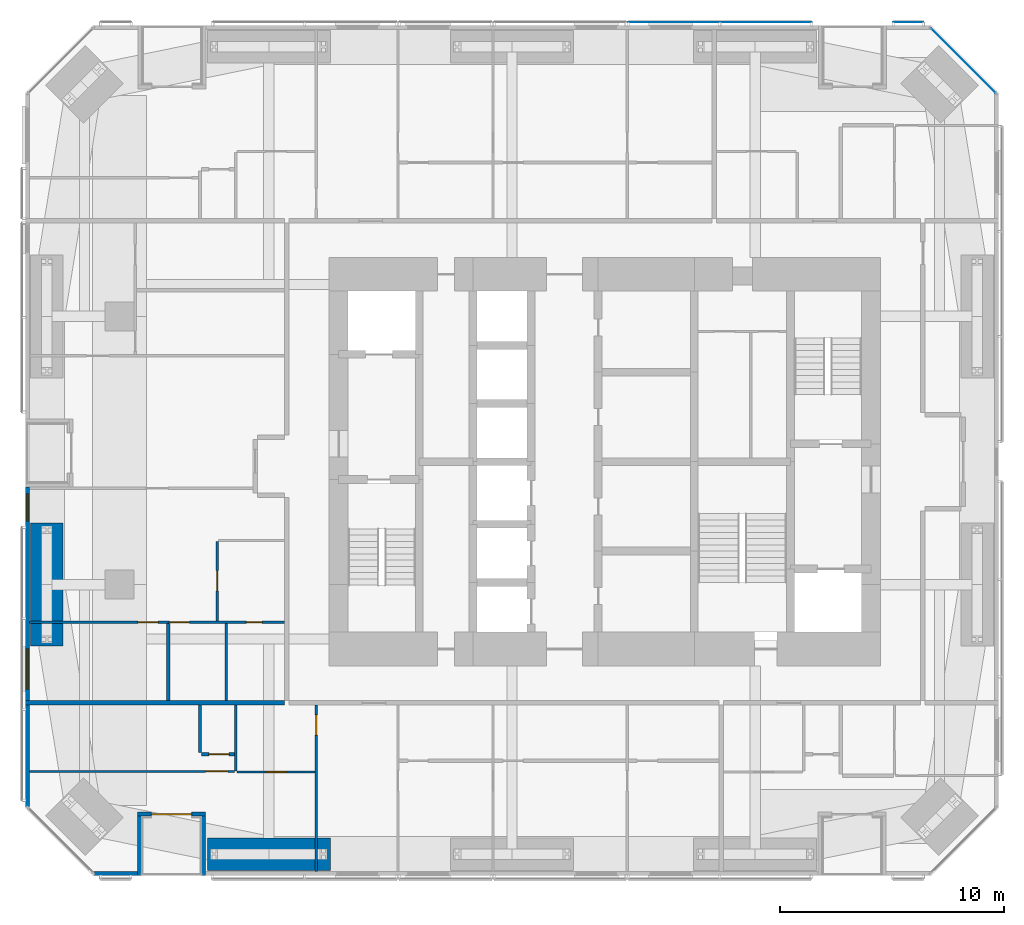
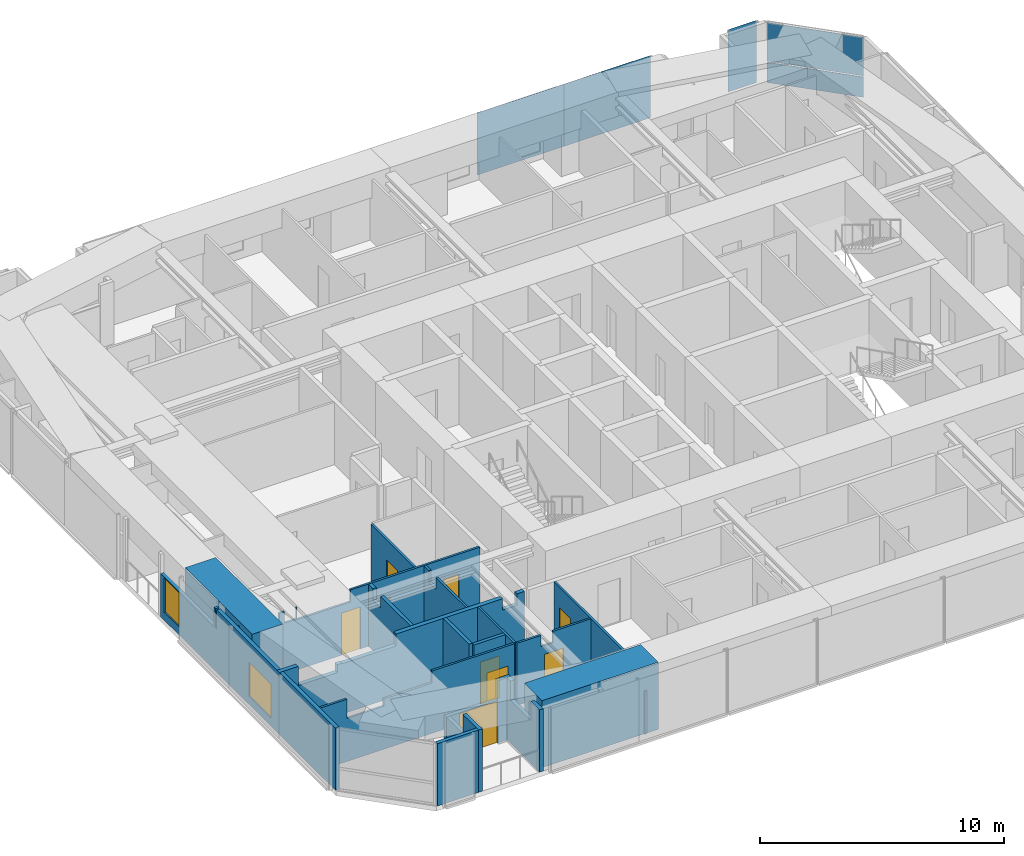
# One storey, part 16 of 23: 19 walls, 9 doors, 5 plates, 2 windows, 11 openings, 3 elements without a shape of their own.
"""IFC4 building model written with IfcOpenShell, lengths in metres."""

from ifc_helpers import new_model, si_unit, direction, frame, frame_2d, origin, origin_2d, place, context, subcontext, project, spatial, polyline, rectangle, outline, extrude, material, layer, layer_set, constituent, constituent_set, type_object, element, fill, aggregate, save


model = new_model("IFC4")

# Units and contexts
model_context = context("Model", 3, precision=1e-05, world=origin(), true_north=direction((0.0, 1.0)))
body_context = subcontext(model_context, "Body", "Model", "MODEL_VIEW")
ifc_project = project(units=[si_unit("LENGTHUNIT", "METRE"), si_unit("AREAUNIT", "SQUARE_METRE"), si_unit("VOLUMEUNIT", "CUBIC_METRE"), si_unit("PLANEANGLEUNIT", "RADIAN"), si_unit("MASSUNIT", "GRAM", prefix="KILO")], contexts=[model_context])

# Site, building, storey
site_placement = place(None, origin())
site = spatial("IfcSite", under=ifc_project, at=site_placement, CompositionType="ELEMENT")
building_placement = place(site_placement, origin())
building = spatial("IfcBuilding", under=site, at=building_placement, Name="Jalousie Tower", CompositionType="ELEMENT")
storey_placement = place(building_placement, frame((0.0, 0.0, 121.60009765625)))
storey = spatial("IfcBuildingStorey", under=building, at=storey_placement, Name="L33", CompositionType="ELEMENT", Elevation=121.60009765625)

# Curtain wall, plates
ifc_material_1 = material(Name="Aluminium curtain wall", Category="aluminium")
curtain_wall_type_1 = type_object("IfcCurtainWallType", Name="CORNER WINDOW WALL", PredefinedType="USERDEFINED", material=ifc_material_1)
curtain_wall_1_placement = place(storey_placement, origin())
curtain_wall_1 = element("IfcCurtainWall", 1, at=curtain_wall_1_placement, inside=storey, type_object=curtain_wall_type_1, Name="Corner Window Wall L33 4", ObjectType="CORNER WINDOW WALL", PredefinedType="USERDEFINED")
ifc_material_2 = material(Name="Laminated impact-rated spandrel glass", Category="glass")
ifc_layer_1 = layer(ifc_material_2, 0.028076171875)
ifc_layer_set_1 = layer_set([ifc_layer_1], Name="Laminated impact-rated spandrel glass")
plate_type_1 = type_object("IfcPlateType", Name="CORNER WINDOW WALL PANEL", PredefinedType="CURTAIN_PANEL", material=ifc_layer_set_1)
plate_1_placement = place(storey_placement, frame((47.9306640625, 36.4306640625, 0.06005859375), z_axis=(0.0, 0.0, 1.0), x_axis=(-0.707106781187, 0.707106781187, 0.0)))
plate_1 = element("IfcPlate", 2, at=plate_1_placement, type_object=plate_type_1, Name="CW-C panel 1.1", PredefinedType="CURTAIN_PANEL", context=body_context, shape_type="SweptSolid", body=[
    extrude(rectangle(XDim=4.071533203125, YDim=0.028076171875, at=origin_2d()), origin(), (0.0, 0.0, 1.0), 1.010009765625),
])
plate_2_placement = place(storey_placement, frame((47.9306640625, 36.4306640625, 1.1298828125), z_axis=(0.0, 0.0, 1.0), x_axis=(-0.707106781187, 0.707106781187, 0.0)))
plate_2 = element("IfcPlate", 3, at=plate_2_placement, type_object=plate_type_1, Name="CW-C panel 1.2", PredefinedType="CURTAIN_PANEL", context=body_context, shape_type="SweptSolid", body=[
    extrude(rectangle(XDim=4.071533203125, YDim=0.028076171875, at=origin_2d()), origin(), (0.0, 0.0, 1.0), 1.919921875),
])
aggregate(curtain_wall_1, [plate_1, plate_2])

# Curtain wall, plate
ifc_material_3 = material(Name="Perforated aluminium sheet", Category="aluminium")
curtain_wall_type_2 = type_object("IfcCurtainWallType", Name="SOLAR SCREEN SS-1", PredefinedType="USERDEFINED", material=ifc_material_3)
curtain_wall_2_placement = place(storey_placement, origin())
curtain_wall_2 = element("IfcCurtainWall", 4, at=curtain_wall_2_placement, inside=storey, type_object=curtain_wall_type_2, Name="Solar screen L33", ObjectType="SOLAR SCREEN SS-1", PredefinedType="USERDEFINED")
ifc_material_4 = material(Name="Perforated aluminium sheet", Category="aluminium")
ifc_layer_2 = layer(ifc_material_4, 0.006103515625)
ifc_layer_set_2 = layer_set([ifc_layer_2], Name="Perforated aluminium sheet")
plate_type_2 = type_object("IfcPlateType", Name="SOLAR SCREEN SS-1 PANEL", PredefinedType="CURTAIN_PANEL", material=ifc_layer_set_2)
plate_3_placement = place(storey_placement, frame((45.4736328125, 38.150390625, 0.0), z_axis=(0.0, 0.0, 1.0), x_axis=(-1.0, 0.0, 0.0)))
plate_3 = element("IfcPlate", 5, at=plate_3_placement, type_object=plate_type_2, Name="SS1 perforated panel 1", PredefinedType="CURTAIN_PANEL", context=body_context, shape_type="SweptSolid", body=[
    extrude(rectangle(XDim=1.35009765625, YDim=0.006103515625, at=origin_2d()), origin(), (0.0, 0.0, 1.0), 3.110107421875),
])
aggregate(curtain_wall_2, [plate_3])

# Curtain wall, plates
curtain_wall_3_placement = place(storey_placement, origin())
curtain_wall_3 = element("IfcCurtainWall", 6, at=curtain_wall_3_placement, inside=storey, type_object=curtain_wall_type_2, Name="Solar screen L33", ObjectType="SOLAR SCREEN SS-1", PredefinedType="USERDEFINED")
plate_4_placement = place(storey_placement, frame((39.09912109375, 38.150390625, 0.0), z_axis=(0.0, 0.0, 1.0), x_axis=(-1.0, 0.0, 0.0)))
plate_4 = element("IfcPlate", 7, at=plate_4_placement, type_object=plate_type_2, Name="SS1 perforated panel 1", PredefinedType="CURTAIN_PANEL", context=body_context, shape_type="SweptSolid", body=[
    extrude(rectangle(XDim=4.099365234375, YDim=0.006103515625, at=origin_2d()), origin(), (0.0, 0.0, 1.0), 3.110107421875),
])
plate_5_placement = place(storey_placement, frame((34.999755859375, 38.150390625, 0.0), z_axis=(0.0, 0.0, 1.0), x_axis=(-1.0, 0.0, 0.0)))
plate_5 = element("IfcPlate", 8, at=plate_5_placement, type_object=plate_type_2, Name="SS1 perforated panel 2", PredefinedType="CURTAIN_PANEL", context=body_context, shape_type="SweptSolid", body=[
    extrude(rectangle(XDim=4.099365234375, YDim=0.006103515625, at=origin_2d()), origin(), (0.0, 0.0, 1.0), 3.110107421875),
])
aggregate(curtain_wall_3, [plate_4, plate_5])

# Wall, opening, door
ifc_material_5 = material(Name="Concrete block ASTM C90", Category="concrete")
ifc_constituent_1 = constituent(ifc_material_5, Name="Body")
ifc_material_6 = material(Name="Render")
ifc_constituent_2 = constituent(ifc_material_6, Name="Finish")
ifc_constituent_set_1 = constituent_set(constituents=[ifc_constituent_1, ifc_constituent_2])
wall_type_1 = type_object("IfcWallType", Name="BATHROOM WALL 150", PredefinedType="PLUMBINGWALL", material=ifc_constituent_set_1)
wall_1_placement = place(storey_placement, frame((13.875, 5.425048828125, 0.0), z_axis=(0.0, 0.0, 1.0), x_axis=(1.0, 0.0, 0.0)))
wall_1 = element("IfcWall", 9, at=wall_1_placement, inside=storey, type_object=wall_type_1, Name="Bathroom Wall 150 L33", PredefinedType="PLUMBINGWALL", context=body_context, shape_type="SweptSolid", body=[
    extrude(rectangle(XDim=1.47509765625, YDim=0.14990234375, at=frame_2d((0.737548828125, 0.0))), origin(), (0.0, 0.0, 1.0), 3.10986328125),
])
opening_1_placement = place(wall_1_placement, frame((0.324951171875, 0.0, 0.0)))
opening_1 = element("IfcOpeningElement", 10, at=opening_1_placement, cuts=wall_1, Name="Opening D7", PredefinedType="OPENING", context=body_context, shape_type="SweptSolid", body=[
    extrude(rectangle(XDim=0.89990234375, YDim=2.10009765625, at=frame_2d((0.449951171875, 1.050048828125))), frame((0.0, 0.0849609375, 0.0), z_axis=(0.0, -1.0, 0.0), x_axis=(1.0, 0.0, 0.0)), (0.0, 0.0, 1.0), 0.169921875),
])
ifc_material_7 = material(Name="Timber door", Category="wood")
door_type_1 = type_object("IfcDoorType", Name="INTERNAL DOOR 900", OperationType="SINGLE_SWING_LEFT", PredefinedType="DOOR", material=ifc_material_7)
door_1_placement = place(opening_1_placement, origin())
door_1 = element("IfcDoor", 11, at=door_1_placement, inside=storey, type_object=door_type_1, Name="Apartment 3301 guest WC door", OperationType="SINGLE_SWING_RIGHT", OverallHeight=2.10009765625, OverallWidth=0.89990234375, PredefinedType="DOOR", context=body_context, shape_type="SweptSolid", body=[
    extrude(rectangle(XDim=0.89990234375, YDim=2.10009765625, at=frame_2d((0.449951171875, 1.050048828125))), frame((0.0, 0.02490234375, 0.0), z_axis=(0.0, -1.0, 0.0), x_axis=(1.0, 0.0, 0.0)), (0.0, 0.0, 1.0), 0.050048828125),
])
fill(opening_1, door_1)

# Walls
wall_2_placement = place(storey_placement, frame((13.800048828125, 5.5, 0.0), z_axis=(0.0, 0.0, 1.0), x_axis=(0.0, 1.0, 0.0)))
element("IfcWall", 12, at=wall_2_placement, inside=storey, type_object=wall_type_1, Name="Bathroom Wall 150 L33", PredefinedType="PLUMBINGWALL", context=body_context, shape_type="SweptSolid", body=[
    extrude(rectangle(XDim=2.125, YDim=0.14990234375, at=frame_2d((1.0625, 0.0))), origin(), (0.0, 0.0, 1.0), 3.10986328125),
])
wall_3_placement = place(storey_placement, frame((12.375, 7.824951171875, 0.0), z_axis=(0.0, 0.0, 1.0), x_axis=(0.0, 1.0, 0.0)))
element("IfcWall", 13, at=wall_3_placement, inside=storey, type_object=wall_type_1, Name="Bathroom Wall 150 L33", PredefinedType="PLUMBINGWALL", context=body_context, shape_type="SweptSolid", body=[
    extrude(outline(polyline([(0.0, 0.0), (3.449951171875, 0.0), (3.449951171875, 3.10986328125), (3.0625, 3.10986328125), (3.0625, 2.541015625), (2.4375, 2.541015625), (2.4375, 3.10986328125), (0.0, 3.10986328125), (0.0, 0.0)])), frame((0.0, 0.074951171875, 0.0), z_axis=(0.0, -1.0, 0.0), x_axis=(1.0, 0.0, 0.0)), (0.0, 0.0, 1.0), 0.14990234375),
])
ifc_material_8 = material(Name="Concrete f'c 40 MPa", Category="concrete")
ifc_constituent_3 = constituent(ifc_material_8, Name="Body")
ifc_material_9 = material(Name="Render, pastel sea green")
ifc_constituent_4 = constituent(ifc_material_9, Name="Finish")
ifc_constituent_set_2 = constituent_set(constituents=[ifc_constituent_3, ifc_constituent_4])
wall_type_2 = type_object("IfcWallType", Name="EXTERNAL WALL 175 SEA GREEN RENDER", PredefinedType="SOLIDWALL", material=ifc_constituent_set_2)
wall_4_placement = place(storey_placement, frame((9.05126953125, 0.08740234375, 0.0), z_axis=(0.0, 0.0, 1.0), x_axis=(1.0, 0.0, 0.0)))
element("IfcWall", 14, at=wall_4_placement, inside=storey, type_object=wall_type_2, Name="External Wall 175 Sea Green Render L33", PredefinedType="SOLIDWALL", context=body_context, shape_type="SweptSolid", body=[
    extrude(rectangle(XDim=1.949951171875, YDim=0.175048828125, at=frame_2d((0.97509765625, 0.0))), origin(), (0.0, 0.0, 1.0), 3.10986328125),
])

# Wall, opening, door
wall_5_placement = place(storey_placement, frame((11.001220703125, 2.737548828125, 0.0), z_axis=(0.0, 0.0, 1.0), x_axis=(1.0, 0.0, 0.0)))
wall_5 = element("IfcWall", 15, at=wall_5_placement, inside=storey, type_object=wall_type_2, Name="External Wall 175 Sea Green Render L33-A", PredefinedType="SOLIDWALL", context=body_context, shape_type="SweptSolid", body=[
    extrude(rectangle(XDim=2.425048828125, YDim=0.175048828125, at=frame_2d((1.21240234375, 0.0))), origin(), (0.0, 0.0, 1.0), 2.14990234375),
])
opening_2_placement = place(wall_5_placement, frame((0.625, 0.0, 0.0)))
opening_2 = element("IfcOpeningElement", 16, at=opening_2_placement, cuts=wall_5, Name="Opening D-BAL21", PredefinedType="OPENING", context=body_context, shape_type="SweptSolid", body=[
    extrude(rectangle(XDim=1.800048828125, YDim=2.10009765625, at=frame_2d((0.89990234375, 1.050048828125))), frame((0.0, 0.097412109375, 0.0), z_axis=(0.0, -1.0, 0.0), x_axis=(1.0, 0.0, 0.0)), (0.0, 0.0, 1.0), 0.195068359375),
])
ifc_material_10 = material(Name="Aluminium frame, impact-rated glazing", Category="aluminium")
door_type_2 = type_object("IfcDoorType", Name="BALCONY DOOR 1800x2100", OperationType="SLIDING_TO_LEFT", PredefinedType="DOOR", material=ifc_material_10)
door_2_placement = place(opening_2_placement, origin())
door_2 = element("IfcDoor", 17, at=door_2_placement, inside=storey, type_object=door_type_2, Name="Apartment 3301 living and dining room loggia door", OperationType="SLIDING_TO_LEFT", OverallHeight=2.10009765625, OverallWidth=1.800048828125, PredefinedType="DOOR", context=body_context, shape_type="SweptSolid", body=[
    extrude(rectangle(XDim=1.800048828125, YDim=2.10009765625, at=frame_2d((0.89990234375, 1.050048828125))), frame((0.0, 0.02490234375, 0.0), z_axis=(0.0, -1.0, 0.0), x_axis=(1.0, 0.0, 0.0)), (0.0, 0.0, 1.0), 0.050048828125),
])
fill(opening_2, door_2)

# Walls
wall_6_placement = place(storey_placement, frame((13.42626953125, 2.737548828125, 0.0), z_axis=(0.0, 0.0, 1.0), x_axis=(1.0, 0.0, 0.0)))
element("IfcWall", 18, at=wall_6_placement, inside=storey, type_object=wall_type_2, Name="External Wall 175 Sea Green Render L33-B", PredefinedType="SOLIDWALL", context=body_context, shape_type="SweptSolid", body=[
    extrude(rectangle(XDim=0.625, YDim=0.175048828125, at=frame_2d((0.3125, 0.0))), origin(), (0.0, 0.0, 1.0), 3.10986328125),
])
wall_7_placement = place(storey_placement, frame((11.0888671875, 0.0, 0.0), z_axis=(0.0, 0.0, 1.0), x_axis=(0.0, 1.0, 0.0)))
element("IfcWall", 19, at=wall_7_placement, inside=storey, type_object=wall_type_2, Name="External Wall 175 Sea Green Render L33", PredefinedType="SOLIDWALL", context=body_context, shape_type="SweptSolid", body=[
    extrude(outline(polyline([(0.0, 0.0), (2.64990234375, 0.0), (2.64990234375, 2.14990234375), (1.2958984375, 2.14990234375), (1.2958984375, 3.10986328125), (0.0, 3.10986328125), (0.0, 0.0)])), frame((0.0, 0.08740234375, 0.0), z_axis=(0.0, -1.0, 0.0), x_axis=(1.0, 0.0, 0.0)), (0.0, 0.0, 1.0), 0.175048828125),
])
wall_8_placement = place(storey_placement, frame((13.9638671875, 0.0, 0.0), z_axis=(0.0, 0.0, 1.0), x_axis=(0.0, 1.0, 0.0)))
element("IfcWall", 20, at=wall_8_placement, inside=storey, type_object=wall_type_2, Name="External Wall 175 Sea Green Render L33", PredefinedType="SOLIDWALL", context=body_context, shape_type="SweptSolid", body=[
    extrude(outline(polyline([(0.0, 0.0), (2.64990234375, 0.0), (2.64990234375, 3.10986328125), (2.378173828125, 3.10986328125), (2.378173828125, 2.14990234375), (0.70947265625, 2.14990234375), (0.70947265625, 3.10986328125), (0.0, 3.10986328125), (0.0, 0.0)])), frame((0.0, 0.08740234375, 0.0), z_axis=(0.0, -1.0, 0.0), x_axis=(1.0, 0.0, 0.0)), (0.0, 0.0, 1.0), 0.175048828125),
])

# Wall, openings, windows
wall_9_placement = place(storey_placement, frame((6.08740234375, 17.3583984375, 0.0), z_axis=(0.0, 0.0, 1.0), x_axis=(0.0, -1.0, 0.0)))
wall_9 = element("IfcWall", 21, at=wall_9_placement, inside=storey, type_object=wall_type_2, Name="External Wall 175 Sea Green Render L33", PredefinedType="SOLIDWALL", context=body_context, shape_type="SweptSolid", body=[
    extrude(outline(polyline([(0.0, 0.0), (14.30712890625, 0.0), (14.306884765625, 3.10986328125), (4.576904296875, 3.10986328125), (4.576904296875, 2.14990234375), (4.48388671875, 2.14990234375), (4.48388671875, 3.10986328125), (4.3583984375, 3.10986328125), (4.3583984375, 2.14990234375), (0.0, 2.14990234375), (0.0, 0.0)])), frame((0.0, 0.08740234375, 0.0), z_axis=(0.0, -1.0, 0.0), x_axis=(1.0, 0.0, 0.0)), (0.0, 0.0, 1.0), 0.175048828125),
])
opening_3_placement = place(wall_9_placement, frame((0.300048828125, 0.0, 0.39990234375)))
opening_3 = element("IfcOpeningElement", 22, at=opening_3_placement, cuts=wall_9, Name="Opening W-COR170", PredefinedType="OPENING", context=body_context, shape_type="SweptSolid", body=[
    extrude(rectangle(XDim=1.199951171875, YDim=1.699951171875, at=frame_2d((0.60009765625, 0.85009765625))), frame((0.0, 0.097412109375, 0.0), z_axis=(0.0, -1.0, 0.0), x_axis=(1.0, 0.0, 0.0)), (0.0, 0.0, 1.0), 0.195068359375),
])
opening_4_placement = place(wall_9_placement, frame((7.2333984375, 0.0, 0.39990234375)))
opening_4 = element("IfcOpeningElement", 23, at=opening_4_placement, cuts=wall_9, Name="Opening W-BED170", PredefinedType="OPENING", context=body_context, shape_type="SweptSolid", body=[
    extrude(rectangle(XDim=1.800048828125, YDim=1.699951171875, at=frame_2d((0.89990234375, 0.85009765625))), frame((0.0, 0.097412109375, 0.0), z_axis=(0.0, -1.0, 0.0), x_axis=(1.0, 0.0, 0.0)), (0.0, 0.0, 1.0), 0.195068359375),
])
ifc_material_11 = material(Name="Aluminium frame, impact-rated glazing", Category="aluminium")
window_type_1 = type_object("IfcWindowType", Name="WINDOW BED 1800x1700", PartitioningType="SINGLE_PANEL", PredefinedType="WINDOW", material=ifc_material_11)
window_1_placement = place(opening_4_placement, origin())
window_1 = element("IfcWindow", 24, at=window_1_placement, inside=storey, type_object=window_type_1, Name="Apartment 3305 bedroom 1 window", OverallHeight=1.699951171875, OverallWidth=1.800048828125, PartitioningType="SINGLE_PANEL", PredefinedType="WINDOW", context=body_context, shape_type="SweptSolid", body=[
    extrude(rectangle(XDim=1.800048828125, YDim=1.699951171875, at=frame_2d((0.89990234375, 0.85009765625))), frame((0.0, 0.030029296875, 0.0), z_axis=(0.0, -1.0, 0.0), x_axis=(1.0, 0.0, 0.0)), (0.0, 0.0, 1.0), 0.06005859375),
])
fill(opening_4, window_1)
ifc_material_12 = material(Name="Aluminium frame, impact-rated glazing", Category="aluminium")
window_type_2 = type_object("IfcWindowType", Name="WINDOW COR 1200x1700", PartitioningType="SINGLE_PANEL", PredefinedType="WINDOW", material=ifc_material_12)
window_2_placement = place(opening_3_placement, origin())
window_2 = element("IfcWindow", 25, at=window_2_placement, inside=storey, type_object=window_type_2, Name="Apartment 3305 dining room window", OverallHeight=1.699951171875, OverallWidth=1.199951171875, PartitioningType="SINGLE_PANEL", PredefinedType="WINDOW", context=body_context, shape_type="SweptSolid", body=[
    extrude(rectangle(XDim=1.199951171875, YDim=1.699951171875, at=frame_2d((0.60009765625, 0.85009765625))), frame((0.0, 0.030029296875, 0.0), z_axis=(0.0, -1.0, 0.0), x_axis=(1.0, 0.0, 0.0)), (0.0, 0.0, 1.0), 0.06005859375),
])
fill(opening_3, window_2)

# Wall, opening, door
ifc_material_13 = material(Name="Gypsum board", Category="gypsum")
ifc_constituent_5 = constituent(ifc_material_13, Name="Body")
ifc_material_14 = material(Name="Light-gauge steel studs ASTM A653 SS Grade 33", Category="steel")
ifc_constituent_6 = constituent(ifc_material_14, Name="Framing")
ifc_constituent_set_3 = constituent_set(constituents=[ifc_constituent_5, ifc_constituent_6])
wall_type_3 = type_object("IfcWallType", Name="PARTITION 100", PredefinedType="PARTITIONING", material=ifc_constituent_set_3)
wall_10_placement = place(storey_placement, frame((19.0, 0.175048828125, 0.0), z_axis=(0.0, 0.0, 1.0), x_axis=(0.0, 1.0, 0.0)))
wall_10 = element("IfcWall", 26, at=wall_10_placement, inside=storey, type_object=wall_type_3, Name="Partition 100 L33", PredefinedType="PARTITIONING", context=body_context, shape_type="SweptSolid", body=[
    extrude(outline(polyline([(0.52880859375, 2.14990234375), (0.0, 2.14990234375), (0.0, 0.0), (0.52880859375, 0.0), (0.52880859375, 0.01708984375), (1.021240234375, 0.01708984375), (1.021240234375, 0.0), (7.449951171875, 0.0), (7.449951171875, 3.10986328125), (1.635009765625, 3.10986328125), (1.635009765625, 2.14990234375), (1.021240234375, 2.14990234375), (1.021240234375, 2.1328125), (0.52880859375, 2.1328125), (0.52880859375, 2.14990234375)])), frame((0.0, 0.050048828125, 0.0), z_axis=(0.0, -1.0, 0.0), x_axis=(1.0, 0.0, 0.0)), (0.0, 0.0, 1.0), 0.10009765625),
])
opening_5_placement = place(wall_10_placement, frame((6.10009765625, 0.0, 0.0)))
opening_5 = element("IfcOpeningElement", 27, at=opening_5_placement, cuts=wall_10, Name="Opening D2", PredefinedType="OPENING", context=body_context, shape_type="SweptSolid", body=[
    extrude(rectangle(XDim=0.89990234375, YDim=2.10009765625, at=frame_2d((0.449951171875, 1.050048828125))), frame((0.0, 0.06005859375, 0.0), z_axis=(0.0, -1.0, 0.0), x_axis=(1.0, 0.0, 0.0)), (0.0, 0.0, 1.0), 0.1201171875),
])
ifc_material_15 = material(Name="Timber door", Category="wood")
door_type_3 = type_object("IfcDoorType", Name="BEDROOM DOOR 900", OperationType="SINGLE_SWING_LEFT", PredefinedType="DOOR", material=ifc_material_15)
door_3_placement = place(opening_5_placement, frame((0.89990234375, 0.0, 0.0), z_axis=(0.0, 0.0, 1.0), x_axis=(-1.0, 0.0, 0.0)))
door_3 = element("IfcDoor", 28, at=door_3_placement, inside=storey, type_object=door_type_3, Name="Apartment 3301 study door", OperationType="SINGLE_SWING_LEFT", OverallHeight=2.10009765625, OverallWidth=0.89990234375, PredefinedType="DOOR", context=body_context, shape_type="SweptSolid", body=[
    extrude(rectangle(XDim=0.89990234375, YDim=2.10009765625, at=frame_2d((0.449951171875, 1.050048828125))), frame((0.0, 0.02490234375, 0.0), z_axis=(0.0, -1.0, 0.0), x_axis=(1.0, 0.0, 0.0)), (0.0, 0.0, 1.0), 0.050048828125),
])
fill(opening_5, door_3)

wall_11_placement = place(storey_placement, frame((15.449951171875, 4.625, 0.0), z_axis=(0.0, 0.0, 1.0), x_axis=(1.0, 0.0, 0.0)))
wall_11 = element("IfcWall", 29, at=wall_11_placement, inside=storey, type_object=wall_type_3, Name="Partition 100 L33", PredefinedType="PARTITIONING", context=body_context, shape_type="SweptSolid", body=[
    extrude(outline(polyline([(0.0, 0.0), (3.5, 0.0), (3.5, 3.10986328125), (1.71240234375, 3.10986328125), (1.71240234375, 2.541015625), (1.1376953125, 2.541015625), (1.1376953125, 3.10986328125), (0.0, 3.10986328125), (0.0, 0.0)])), frame((0.0, 0.050048828125, 0.0), z_axis=(0.0, -1.0, 0.0), x_axis=(1.0, 0.0, 0.0)), (0.0, 0.0, 1.0), 0.10009765625),
])
opening_6_placement = place(wall_11_placement, frame((1.300048828125, 0.0, 0.0)))
opening_6 = element("IfcOpeningElement", 30, at=opening_6_placement, cuts=wall_11, Name="Opening D7", PredefinedType="OPENING", context=body_context, shape_type="SweptSolid", body=[
    extrude(rectangle(XDim=0.89990234375, YDim=2.10009765625, at=frame_2d((0.449951171875, 1.050048828125))), frame((0.0, 0.06005859375, 0.0), z_axis=(0.0, -1.0, 0.0), x_axis=(1.0, 0.0, 0.0)), (0.0, 0.0, 1.0), 0.1201171875),
])
door_4_placement = place(opening_6_placement, frame((0.89990234375, 0.0, 0.0), z_axis=(0.0, 0.0, 1.0), x_axis=(-1.0, 0.0, 0.0)))
door_4 = element("IfcDoor", 31, at=door_4_placement, inside=storey, type_object=door_type_1, Name="Apartment 3301 kitchen door", OperationType="SINGLE_SWING_LEFT", OverallHeight=2.10009765625, OverallWidth=0.89990234375, PredefinedType="DOOR", context=body_context, shape_type="SweptSolid", body=[
    extrude(rectangle(XDim=0.89990234375, YDim=2.10009765625, at=frame_2d((0.449951171875, 1.050048828125))), frame((0.0, 0.02490234375, 0.0), z_axis=(0.0, -1.0, 0.0), x_axis=(1.0, 0.0, 0.0)), (0.0, 0.0, 1.0), 0.050048828125),
])
fill(opening_6, door_4)

# Wall
wall_12_placement = place(storey_placement, frame((15.39990234375, 4.675048828125, 0.0), z_axis=(0.0, 0.0, 1.0), x_axis=(0.0, 1.0, 0.0)))
element("IfcWall", 32, at=wall_12_placement, inside=storey, type_object=wall_type_3, Name="Partition 100 L33", PredefinedType="PARTITIONING", context=body_context, shape_type="SweptSolid", body=[
    extrude(rectangle(XDim=2.949951171875, YDim=0.10009765625, at=frame_2d((1.47509765625, 0.0))), origin(), (0.0, 0.0, 1.0), 3.10986328125),
])

# Wall, opening, door
wall_13_placement = place(storey_placement, frame((6.175048828125, 4.64990234375, 0.0), z_axis=(0.0, 0.0, 1.0), x_axis=(1.0, 0.0, 0.0)))
wall_13 = element("IfcWall", 33, at=wall_13_placement, inside=storey, type_object=wall_type_3, Name="Partition 100 L33", PredefinedType="PARTITIONING", context=body_context, shape_type="SweptSolid", body=[
    extrude(outline(polyline([(0.0, 0.0), (9.175048828125, 0.0), (9.175048828125, 3.10986328125), (5.284912109375, 3.10986328125), (5.284912109375, 2.510009765625), (3.000244140625, 2.510009765625), (3.000244140625, 2.14990234375), (1.2578125, 2.14990234375), (1.2578125, 3.10986328125), (0.0, 3.10986328125), (0.0, 0.0)])), frame((0.0, 0.050048828125, 0.0), z_axis=(0.0, -1.0, 0.0), x_axis=(1.0, 0.0, 0.0)), (0.0, 0.0, 1.0), 0.10009765625),
])
opening_7_placement = place(wall_13_placement, frame((7.875, 0.0, 0.0)))
opening_7 = element("IfcOpeningElement", 34, at=opening_7_placement, cuts=wall_13, Name="Opening D6", PredefinedType="OPENING", context=body_context, shape_type="SweptSolid", body=[
    extrude(rectangle(XDim=1.0, YDim=2.10009765625, at=frame_2d((0.5, 1.050048828125))), frame((0.0, 0.06005859375, 0.0), z_axis=(0.0, -1.0, 0.0), x_axis=(1.0, 0.0, 0.0)), (0.0, 0.0, 1.0), 0.1201171875),
])
ifc_material_16 = material(Name="Timber door", Category="wood")
door_type_4 = type_object("IfcDoorType", Name="INTERNAL DOOR 1000", OperationType="SINGLE_SWING_LEFT", PredefinedType="DOOR", material=ifc_material_16)
door_5_placement = place(opening_7_placement, frame((1.0, 0.0, 0.0), z_axis=(0.0, 0.0, 1.0), x_axis=(-1.0, 0.0, 0.0)))
door_5 = element("IfcDoor", 35, at=door_5_placement, inside=storey, type_object=door_type_4, Name="Apartment 3301 hall door", OperationType="SINGLE_SWING_LEFT", OverallHeight=2.10009765625, OverallWidth=1.0, PredefinedType="DOOR", context=body_context, shape_type="SweptSolid", body=[
    extrude(rectangle(XDim=1.0, YDim=2.10009765625, at=frame_2d((0.5, 1.050048828125))), frame((0.0, 0.02490234375, 0.0), z_axis=(0.0, -1.0, 0.0), x_axis=(1.0, 0.0, 0.0)), (0.0, 0.0, 1.0), 0.050048828125),
])
fill(opening_7, door_5)

# Wall, openings, doors
wall_14_placement = place(storey_placement, frame((6.175048828125, 11.324951171875, 0.0), z_axis=(0.0, 0.0, 1.0), x_axis=(1.0, 0.0, 0.0)))
wall_14 = element("IfcWall", 36, at=wall_14_placement, inside=storey, type_object=wall_type_3, Name="Partition 100 L33", PredefinedType="PARTITIONING", context=body_context, shape_type="SweptSolid", body=[
    extrude(outline(polyline([(0.17529296875, 3.10986328125), (0.0, 3.10986328125), (0.0, 0.0), (0.52880859375, 0.0), (0.52880859375, 0.32470703125), (1.021240234375, 0.32470703125), (1.021240234375, 0.0), (11.39990234375, 0.0), (11.39990234375, 3.10986328125), (5.284912109375, 3.10986328125), (5.284912109375, 2.510009765625), (2.764892578125, 2.510009765625), (2.764892578125, 3.10986328125), (2.74365234375, 3.10986328125), (2.74365234375, 2.541015625), (2.1689453125, 2.541015625), (2.1689453125, 3.10986328125), (1.91796875, 3.10986328125), (1.91796875, 2.14990234375), (1.021240234375, 2.14990234375), (1.021240234375, 1.8251953125), (0.52880859375, 1.8251953125), (0.52880859375, 2.14990234375), (0.17529296875, 2.14990234375), (0.17529296875, 3.10986328125)])), frame((0.0, 0.050048828125, 0.0), z_axis=(0.0, -1.0, 0.0), x_axis=(1.0, 0.0, 0.0)), (0.0, 0.0, 1.0), 0.10009765625),
])
opening_8_placement = place(wall_14_placement, frame((4.85009765625, 0.0, 0.0)))
opening_8 = element("IfcOpeningElement", 37, at=opening_8_placement, cuts=wall_14, Name="Opening D2", PredefinedType="OPENING", context=body_context, shape_type="SweptSolid", body=[
    extrude(rectangle(XDim=0.89990234375, YDim=2.10009765625, at=frame_2d((0.449951171875, 1.050048828125))), frame((0.0, 0.06005859375, 0.0), z_axis=(0.0, -1.0, 0.0), x_axis=(1.0, 0.0, 0.0)), (0.0, 0.0, 1.0), 0.1201171875),
])
opening_9_placement = place(wall_14_placement, frame((6.25, 0.0, 0.0)))
opening_9 = element("IfcOpeningElement", 38, at=opening_9_placement, cuts=wall_14, Name="Opening D7", PredefinedType="OPENING", context=body_context, shape_type="SweptSolid", body=[
    extrude(rectangle(XDim=0.89990234375, YDim=2.10009765625, at=frame_2d((0.449951171875, 1.050048828125))), frame((0.0, 0.06005859375, 0.0), z_axis=(0.0, -1.0, 0.0), x_axis=(1.0, 0.0, 0.0)), (0.0, 0.0, 1.0), 0.1201171875),
])
opening_10_placement = place(wall_14_placement, frame((9.699951171875, 0.0, 0.0)))
opening_10 = element("IfcOpeningElement", 39, at=opening_10_placement, cuts=wall_14, Name="Opening D4", PredefinedType="OPENING", context=body_context, shape_type="SweptSolid", body=[
    extrude(rectangle(XDim=0.699951171875, YDim=2.10009765625, at=frame_2d((0.35009765625, 1.050048828125))), frame((0.0, 0.06005859375, 0.0), z_axis=(0.0, -1.0, 0.0), x_axis=(1.0, 0.0, 0.0)), (0.0, 0.0, 1.0), 0.1201171875),
])
door_6_placement = place(opening_8_placement, frame((0.89990234375, 0.0, 0.0), z_axis=(0.0, 0.0, 1.0), x_axis=(-1.0, 0.0, 0.0)))
door_6 = element("IfcDoor", 40, at=door_6_placement, inside=storey, type_object=door_type_3, Name="Apartment 3305 bedroom 1 door", OperationType="SINGLE_SWING_LEFT", OverallHeight=2.10009765625, OverallWidth=0.89990234375, PredefinedType="DOOR", context=body_context, shape_type="SweptSolid", body=[
    extrude(rectangle(XDim=0.89990234375, YDim=2.10009765625, at=frame_2d((0.449951171875, 1.050048828125))), frame((0.0, 0.02490234375, 0.0), z_axis=(0.0, -1.0, 0.0), x_axis=(1.0, 0.0, 0.0)), (0.0, 0.0, 1.0), 0.050048828125),
])
fill(opening_8, door_6)
door_7_placement = place(opening_9_placement, frame((0.89990234375, 0.0, 0.0), z_axis=(0.0, 0.0, 1.0), x_axis=(-1.0, 0.0, 0.0)))
door_7 = element("IfcDoor", 41, at=door_7_placement, inside=storey, type_object=door_type_1, Name="Apartment 3305 bathroom door", OperationType="SINGLE_SWING_RIGHT", OverallHeight=2.10009765625, OverallWidth=0.89990234375, PredefinedType="DOOR", context=body_context, shape_type="SweptSolid", body=[
    extrude(rectangle(XDim=0.89990234375, YDim=2.10009765625, at=frame_2d((0.449951171875, 1.050048828125))), frame((0.0, 0.02490234375, 0.0), z_axis=(0.0, -1.0, 0.0), x_axis=(1.0, 0.0, 0.0)), (0.0, 0.0, 1.0), 0.050048828125),
])
fill(opening_9, door_7)
ifc_material_17 = material(Name="Timber door", Category="wood")
door_type_5 = type_object("IfcDoorType", Name="STORE DOOR 700", OperationType="SINGLE_SWING_LEFT", PredefinedType="DOOR", material=ifc_material_17)
door_8_placement = place(opening_10_placement, frame((0.699951171875, 0.0, 0.0), z_axis=(0.0, 0.0, 1.0), x_axis=(-1.0, 0.0, 0.0)))
door_8 = element("IfcDoor", 42, at=door_8_placement, inside=storey, type_object=door_type_5, Name="Apartment 3305 store door", OperationType="SINGLE_SWING_RIGHT", OverallHeight=2.10009765625, OverallWidth=0.699951171875, PredefinedType="DOOR", context=body_context, shape_type="SweptSolid", body=[
    extrude(rectangle(XDim=0.699951171875, YDim=2.10009765625, at=frame_2d((0.35009765625, 1.050048828125))), frame((0.0, 0.02490234375, 0.0), z_axis=(0.0, -1.0, 0.0), x_axis=(1.0, 0.0, 0.0)), (0.0, 0.0, 1.0), 0.050048828125),
])
fill(opening_10, door_8)

# Wall
wall_15_placement = place(storey_placement, frame((14.97509765625, 7.824951171875, 0.0), z_axis=(0.0, 0.0, 1.0), x_axis=(0.0, 1.0, 0.0)))
element("IfcWall", 43, at=wall_15_placement, inside=storey, type_object=wall_type_3, Name="Partition 100 L33", PredefinedType="PARTITIONING", context=body_context, shape_type="SweptSolid", body=[
    extrude(outline(polyline([(0.0, 0.0), (3.449951171875, 0.0), (3.449951171875, 3.10986328125), (3.037353515625, 3.10986328125), (3.037353515625, 2.541015625), (2.462646484375, 2.541015625), (2.462646484375, 3.10986328125), (0.0, 3.10986328125), (0.0, 0.0)])), frame((0.0, 0.050048828125, 0.0), z_axis=(0.0, -1.0, 0.0), x_axis=(1.0, 0.0, 0.0)), (0.0, 0.0, 1.0), 0.10009765625),
])

# Wall, opening, door
wall_16_placement = place(storey_placement, frame((14.574951171875, 11.375, 0.0), z_axis=(0.0, 0.0, 1.0), x_axis=(0.0, 1.0, 0.0)))
wall_16 = element("IfcWall", 44, at=wall_16_placement, inside=storey, type_object=wall_type_3, Name="Partition 100 L33", PredefinedType="PARTITIONING", context=body_context, shape_type="SweptSolid", body=[
    extrude(rectangle(XDim=3.550048828125, YDim=0.10009765625, at=frame_2d((1.77490234375, 0.0))), origin(), (0.0, 0.0, 1.0), 3.10986328125),
])
opening_11_placement = place(wall_16_placement, frame((1.35009765625, 0.0, 0.0)))
opening_11 = element("IfcOpeningElement", 45, at=opening_11_placement, cuts=wall_16, Name="Opening D7", PredefinedType="OPENING", context=body_context, shape_type="SweptSolid", body=[
    extrude(rectangle(XDim=0.89990234375, YDim=2.10009765625, at=frame_2d((0.449951171875, 1.050048828125))), frame((0.0, 0.06005859375, 0.0), z_axis=(0.0, -1.0, 0.0), x_axis=(1.0, 0.0, 0.0)), (0.0, 0.0, 1.0), 0.1201171875),
])
door_9_placement = place(opening_11_placement, origin())
door_9 = element("IfcDoor", 46, at=door_9_placement, inside=storey, type_object=door_type_1, Name="Apartment 3305 kitchen door", OperationType="SINGLE_SWING_LEFT", OverallHeight=2.10009765625, OverallWidth=0.89990234375, PredefinedType="DOOR", context=body_context, shape_type="SweptSolid", body=[
    extrude(rectangle(XDim=0.89990234375, YDim=2.10009765625, at=frame_2d((0.449951171875, 1.050048828125))), frame((0.0, 0.02490234375, 0.0), z_axis=(0.0, -1.0, 0.0), x_axis=(1.0, 0.0, 0.0)), (0.0, 0.0, 1.0), 0.050048828125),
])
fill(opening_11, door_9)

# Walls
ifc_material_18 = material(Name="Concrete block ASTM C90", Category="concrete")
ifc_constituent_7 = constituent(ifc_material_18, Name="Body")
ifc_material_19 = material(Name="Render")
ifc_constituent_8 = constituent(ifc_material_19, Name="Finish")
ifc_constituent_set_4 = constituent_set(constituents=[ifc_constituent_7, ifc_constituent_8])
wall_type_4 = type_object("IfcWallType", Name="PARTY WALL 200", PredefinedType="PARTITIONING", material=ifc_constituent_set_4)
wall_17_placement = place(storey_placement, frame((6.0, 7.72509765625, 0.0), z_axis=(0.0, 0.0, 1.0), x_axis=(1.0, 0.0, 0.0)))
element("IfcWall", 47, at=wall_17_placement, inside=storey, type_object=wall_type_4, Name="Party Wall 200 L33", PredefinedType="PARTITIONING", context=body_context, shape_type="SweptSolid", body=[
    extrude(outline(polyline([(0.0, 0.0), (11.574951171875, 0.0), (11.574951171875, 3.10986328125), (11.21240234375, 3.10986328125), (11.21240234375, 2.541015625), (10.53759765625, 2.541015625), (10.53759765625, 3.10986328125), (5.510009765625, 3.10986328125), (5.510009765625, 2.510009765625), (2.96875, 2.510009765625), (2.96875, 2.541015625), (2.727294921875, 2.541015625), (2.727294921875, 2.14990234375), (0.883544921875, 2.14990234375), (0.883544921875, 3.10986328125), (0.0, 3.10986328125), (0.0, 0.0)])), frame((0.0, 0.10009765625, 0.0), z_axis=(0.0, -1.0, 0.0), x_axis=(1.0, 0.0, 0.0)), (0.0, 0.0, 1.0), 0.199951171875),
])
ifc_material_20 = material(Name="Concrete f'c 120 MPa", Category="concrete")
ifc_layer_3 = layer(ifc_material_20, 1.449951171875)
ifc_layer_set_3 = layer_set([ifc_layer_3], Name="Concrete f'c 120 MPa")
wall_type_5 = type_object("IfcWallType", Name="RC WALL PIER 1450", PredefinedType="SHEAR", material=ifc_layer_set_3)
for number, where, z_axis, x_axis, name in (
    (48, (14.125, 0.949951171875, 0.0), (0.0, 0.0, 1.0), (1.0, 0.0, 0.0), "Wall pier 02 L33"),
    (49, (6.949951171875, 10.25, 0.0), (0.0, 0.0, 1.0), (0.0, 1.0, 0.0), "Wall pier 14 L33"),
):
    element("IfcWall", number, at=place(storey_placement, frame(where, z_axis=z_axis, x_axis=x_axis)), inside=storey, type_object=wall_type_5, Name=name, PredefinedType="SHEAR", context=body_context, shape_type="SweptSolid", body=[
        extrude(rectangle(XDim=5.5, YDim=1.449951171875, at=frame_2d((2.75, 0.0))), origin(), (0.0, 0.0, 1.0), 3.349853515625),
    ])

save(model, "model.ifc")
